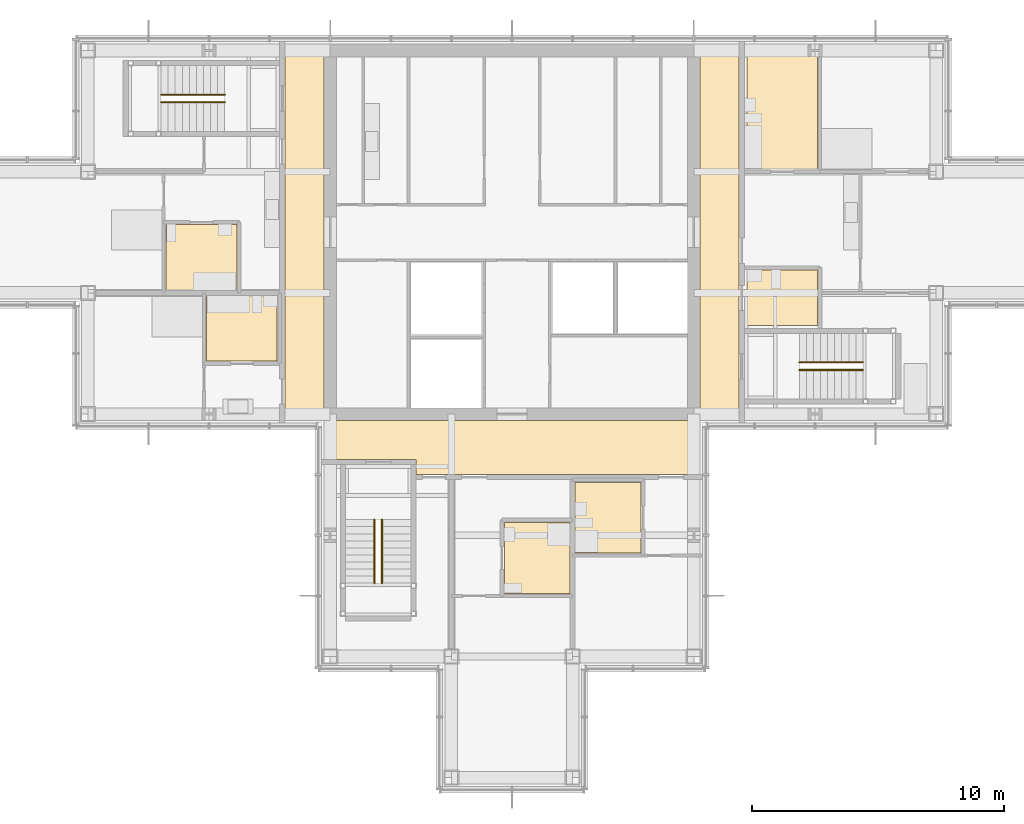
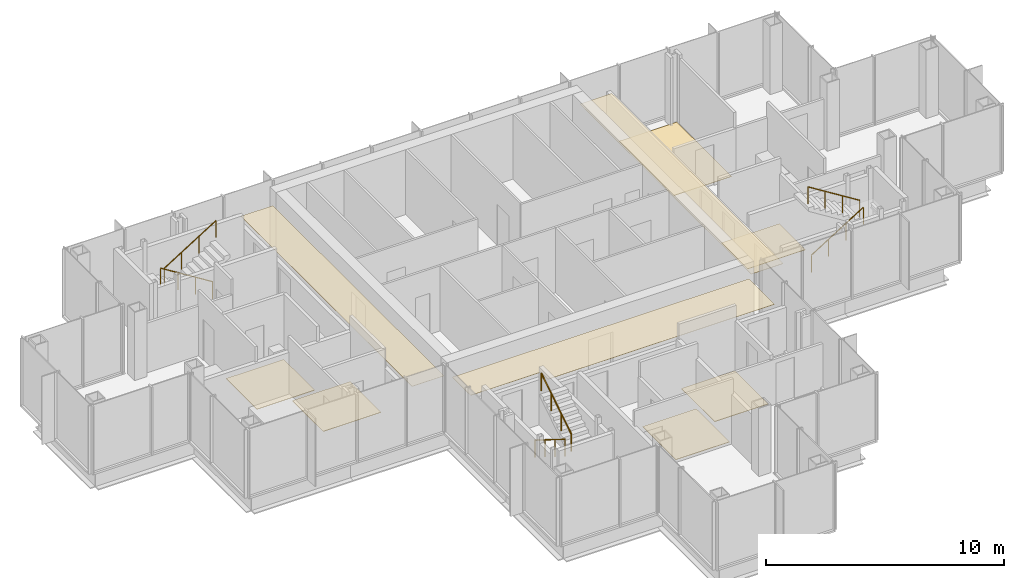
# One storey, part 13 of 15: 9 coverings, 6 railings.
"""IFC4 building model written with IfcOpenShell, lengths in metres."""

from ifc_helpers import new_model, si_unit, direction, frame, origin, origin_2d, place, context, subcontext, project, spatial, polyline, circle, outline, extrude, material, layer, layer_set, type_object, element, save


model = new_model("IFC4")

# Units and contexts
model_context = context("Model", 3, precision=1e-05, world=origin(), true_north=direction((0.0, 1.0)))
body_context = subcontext(model_context, "Body", "Model", "MODEL_VIEW")
ifc_project = project(units=[si_unit("LENGTHUNIT", "METRE"), si_unit("AREAUNIT", "SQUARE_METRE"), si_unit("VOLUMEUNIT", "CUBIC_METRE"), si_unit("PLANEANGLEUNIT", "RADIAN"), si_unit("MASSUNIT", "GRAM", prefix="KILO")], contexts=[model_context])

# Site, building, storey
site_placement = place(None, origin())
site = spatial("IfcSite", under=ifc_project, at=site_placement, CompositionType="ELEMENT")
building_placement = place(site_placement, origin())
building = spatial("IfcBuilding", under=site, at=building_placement, Name="Kvirike Care Tower", CompositionType="ELEMENT")
storey_placement = place(building_placement, frame((0.0, 0.0, 208.5)))
storey = spatial("IfcBuildingStorey", under=building, at=storey_placement, Name="L57", CompositionType="ELEMENT", Elevation=208.5)

# Coverings
ifc_material_1 = material(Name="Perforated metal ceiling tile", Category="aluminium")
ifc_layer_1 = layer(ifc_material_1, 0.014892578125)
ifc_layer_set_1 = layer_set([ifc_layer_1], Name="CORRIDOR CEILING 15")
covering_type_1 = type_object("IfcCoveringType", Name="CORRIDOR CEILING 15", PredefinedType="CEILING", material=ifc_layer_set_1)
covering_1_placement = place(storey_placement, frame((0.0, 0.0, 2.5)))
element("IfcCovering", 1, at=covering_1_placement, inside=storey, type_object=covering_type_1, Name="Corridor ceiling L57", PredefinedType="CEILING", context=body_context, shape_type="SweptSolid", body=[
    extrude(outline(polyline([(12.60009765625, 43.199951171875), (14.14990234375, 43.199951171875), (14.14990234375, 28.800048828125), (12.60009765625, 28.800048828125), (12.60009765625, 43.199951171875)])), origin(), (0.0, 0.0, 1.0), 0.014892578125),
])
covering_2_placement = place(storey_placement, frame((0.0, 0.0, 2.5)))
element("IfcCovering", 2, at=covering_2_placement, inside=storey, type_object=covering_type_1, Name="Corridor ceiling L57", PredefinedType="CEILING", context=body_context, shape_type="SweptSolid", body=[
    extrude(outline(polyline([(14.39990234375, 28.550048828125), (28.800048828125, 28.550048828125), (28.800048828125, 26.39990234375), (17.800048828125, 26.39990234375), (17.800048828125, 27.0), (14.39990234375, 27.0), (14.39990234375, 28.550048828125)])), origin(), (0.0, 0.0, 1.0), 0.014892578125),
])
covering_3_placement = place(storey_placement, frame((0.0, 0.0, 2.5)))
element("IfcCovering", 3, at=covering_3_placement, inside=storey, type_object=covering_type_1, Name="Corridor ceiling L57", PredefinedType="CEILING", context=body_context, shape_type="SweptSolid", body=[
    extrude(outline(polyline([(30.60009765625, 28.800048828125), (29.050048828125, 28.800048828125), (29.050048828125, 43.199951171875), (30.60009765625, 43.199951171875), (30.60009765625, 28.800048828125)])), origin(), (0.0, 0.0, 1.0), 0.014892578125),
])

# Railings
ifc_material_2 = material(Name="Stainless steel handrail", Category="steel")
railing_type = type_object("IfcRailingType", Name="STAIR HANDRAIL 900", PredefinedType="HANDRAIL", material=ifc_material_2)
railing_1_placement = place(storey_placement, frame((10.219970703125, 41.449951171875, 0.175048828125)))
element("IfcRailing", 4, at=railing_1_placement, inside=storey, type_object=railing_type, Name="Stair 1 handrail L57 flight 1", PredefinedType="HANDRAIL", context=body_context, shape_type="SweptSolid", body=[
    extrude(circle(Radius=0.02490234375, at=origin_2d()), frame((0.0, 0.0, 0.875), z_axis=(-0.848007534815, 0.0, 0.529984170421), x_axis=(0.0, -1.0, 0.0)), (0.0, 0.0, 1.0), 2.9716796875),
    extrude(circle(Radius=0.02001953125, at=origin_2d()), origin(), (0.0, 0.0, 1.0), 0.849853515625),
    extrude(circle(Radius=0.02001953125, at=origin_2d()), frame((-0.840087890625, 0.0, 0.52490234375)), (0.0, 0.0, 1.0), 0.849853515625),
    extrude(circle(Radius=0.02001953125, at=origin_2d()), frame((-1.679931640625, 0.0, 1.050048828125)), (0.0, 0.0, 1.0), 0.849853515625),
    extrude(circle(Radius=0.02001953125, at=origin_2d()), frame((-2.52001953125, 0.0, 1.574951171875)), (0.0, 0.0, 1.0), 0.849853515625),
])
for number, where, name in (
    (5, (7.699951171875, 41.14990234375, 1.925048828125), "Stair 1 handrail L57 flight 2"),
    (6, (32.97998046875, 30.550048828125, 0.175048828125), "Stair 2 handrail L57 flight 1"),
):
    element("IfcRailing", number, at=place(storey_placement, frame(where)), inside=storey, type_object=railing_type, Name=name, PredefinedType="HANDRAIL", context=body_context, shape_type="SweptSolid", body=[
        extrude(circle(Radius=0.02490234375, at=origin_2d()), frame((0.0, 0.0, 0.875), z_axis=(0.848007534815, 0.0, 0.529984170421), x_axis=(0.0, 1.0, 0.0)), (0.0, 0.0, 1.0), 2.9716796875),
        extrude(circle(Radius=0.02001953125, at=origin_2d()), origin(), (0.0, 0.0, 1.0), 0.849853515625),
        extrude(circle(Radius=0.02001953125, at=origin_2d()), frame((0.840087890625, 0.0, 0.52490234375)), (0.0, 0.0, 1.0), 0.849853515625),
        extrude(circle(Radius=0.02001953125, at=origin_2d()), frame((1.679931640625, 0.0, 1.050048828125)), (0.0, 0.0, 1.0), 0.849853515625),
        extrude(circle(Radius=0.02001953125, at=origin_2d()), frame((2.52001953125, 0.0, 1.574951171875)), (0.0, 0.0, 1.0), 0.849853515625),
    ])
railing_2_placement = place(storey_placement, frame((35.5, 30.85009765625, 1.925048828125)))
element("IfcRailing", 7, at=railing_2_placement, inside=storey, type_object=railing_type, Name="Stair 2 handrail L57 flight 2", PredefinedType="HANDRAIL", context=body_context, shape_type="SweptSolid", body=[
    extrude(circle(Radius=0.02490234375, at=origin_2d()), frame((0.0, 0.0, 0.875), z_axis=(-0.848007534815, 0.0, 0.529984170421), x_axis=(0.0, -1.0, 0.0)), (0.0, 0.0, 1.0), 2.9716796875),
    extrude(circle(Radius=0.02001953125, at=origin_2d()), origin(), (0.0, 0.0, 1.0), 0.849853515625),
    extrude(circle(Radius=0.02001953125, at=origin_2d()), frame((-0.840087890625, 0.0, 0.52490234375)), (0.0, 0.0, 1.0), 0.849853515625),
    extrude(circle(Radius=0.02001953125, at=origin_2d()), frame((-1.679931640625, 0.0, 1.050048828125)), (0.0, 0.0, 1.0), 0.849853515625),
    extrude(circle(Radius=0.02001953125, at=origin_2d()), frame((-2.52001953125, 0.0, 1.574951171875)), (0.0, 0.0, 1.0), 0.849853515625),
])
railing_3_placement = place(storey_placement, frame((16.14990234375, 24.6201171875, 0.175048828125)))
element("IfcRailing", 8, at=railing_3_placement, inside=storey, type_object=railing_type, Name="Stair 5 handrail L57 flight 1", PredefinedType="HANDRAIL", context=body_context, shape_type="SweptSolid", body=[
    extrude(circle(Radius=0.02490234375, at=origin_2d()), frame((0.0, 0.0, 0.875), z_axis=(0.0, -0.848007534815, 0.529984170421), x_axis=(1.0, 0.0, 0.0)), (0.0, 0.0, 1.0), 2.9716796875),
    extrude(circle(Radius=0.02001953125, at=origin_2d()), origin(), (0.0, 0.0, 1.0), 0.849853515625),
    extrude(circle(Radius=0.02001953125, at=origin_2d()), frame((0.0, -0.840087890625, 0.52490234375)), (0.0, 0.0, 1.0), 0.849853515625),
    extrude(circle(Radius=0.02001953125, at=origin_2d()), frame((0.0, -1.679931640625, 1.050048828125)), (0.0, 0.0, 1.0), 0.849853515625),
    extrude(circle(Radius=0.02001953125, at=origin_2d()), frame((0.0, -2.52001953125, 1.574951171875)), (0.0, 0.0, 1.0), 0.849853515625),
])
railing_4_placement = place(storey_placement, frame((16.449951171875, 22.10009765625, 1.925048828125)))
element("IfcRailing", 9, at=railing_4_placement, inside=storey, type_object=railing_type, Name="Stair 5 handrail L57 flight 2", PredefinedType="HANDRAIL", context=body_context, shape_type="SweptSolid", body=[
    extrude(circle(Radius=0.02490234375, at=origin_2d()), frame((0.0, 0.0, 0.875), z_axis=(0.0, 0.848007534815, 0.529984170421), x_axis=(-1.0, 0.0, 0.0)), (0.0, 0.0, 1.0), 2.9716796875),
    extrude(circle(Radius=0.02001953125, at=origin_2d()), origin(), (0.0, 0.0, 1.0), 0.849853515625),
    extrude(circle(Radius=0.02001953125, at=origin_2d()), frame((0.0, 0.840087890625, 0.52490234375)), (0.0, 0.0, 1.0), 0.849853515625),
    extrude(circle(Radius=0.02001953125, at=origin_2d()), frame((0.0, 1.679931640625, 1.050048828125)), (0.0, 0.0, 1.0), 0.849853515625),
    extrude(circle(Radius=0.02001953125, at=origin_2d()), frame((0.0, 2.52001953125, 1.574951171875)), (0.0, 0.0, 1.0), 0.849853515625),
])

# Coverings
ifc_material_3 = material(Name="Slip-resistant vinyl safety flooring on screed")
ifc_layer_2 = layer(ifc_material_3, 0.02001953125)
ifc_layer_set_2 = layer_set([ifc_layer_2], Name="WET ROOM FLOOR 20")
covering_type_2 = type_object("IfcCoveringType", Name="WET ROOM FLOOR 20", PredefinedType="FLOORING", material=ifc_layer_set_2)
covering_4_placement = place(storey_placement, origin())
element("IfcCovering", 10, at=covering_4_placement, inside=storey, type_object=covering_type_2, Name="Bathroom floor L57-005", PredefinedType="FLOORING", context=body_context, shape_type="SweptSolid", body=[
    extrude(outline(polyline([(7.89990234375, 36.300048828125), (10.699951171875, 36.300048828125), (10.699951171875, 33.699951171875), (7.89990234375, 33.699951171875), (7.89990234375, 36.300048828125)])), origin(), (0.0, 0.0, 1.0), 0.02001953125),
])
covering_5_placement = place(storey_placement, origin())
element("IfcCovering", 11, at=covering_5_placement, inside=storey, type_object=covering_type_2, Name="Bathroom floor L57-008", PredefinedType="FLOORING", context=body_context, shape_type="SweptSolid", body=[
    extrude(outline(polyline([(9.5, 33.5), (12.300048828125, 33.5), (12.300048828125, 30.89990234375), (9.5, 30.89990234375), (9.5, 33.5)])), origin(), (0.0, 0.0, 1.0), 0.02001953125),
])
covering_6_placement = place(storey_placement, origin())
element("IfcCovering", 12, at=covering_6_placement, inside=storey, type_object=covering_type_2, Name="Shower room floor L57-014", PredefinedType="FLOORING", context=body_context, shape_type="SweptSolid", body=[
    extrude(outline(polyline([(21.300048828125, 21.699951171875), (21.300048828125, 24.5), (23.89990234375, 24.5), (23.89990234375, 21.699951171875), (21.300048828125, 21.699951171875)])), origin(), (0.0, 0.0, 1.0), 0.02001953125),
])
covering_7_placement = place(storey_placement, origin())
element("IfcCovering", 13, at=covering_7_placement, inside=storey, type_object=covering_type_2, Name="Shower room floor L57-017", PredefinedType="FLOORING", context=body_context, shape_type="SweptSolid", body=[
    extrude(outline(polyline([(24.10009765625, 23.300048828125), (24.10009765625, 26.10009765625), (26.699951171875, 26.10009765625), (26.699951171875, 23.300048828125), (24.10009765625, 23.300048828125)])), origin(), (0.0, 0.0, 1.0), 0.02001953125),
])
covering_8_placement = place(storey_placement, origin())
element("IfcCovering", 14, at=covering_8_placement, inside=storey, type_object=covering_type_2, Name="Accessible WC floor L57-024", PredefinedType="FLOORING", context=body_context, shape_type="SweptSolid", body=[
    extrude(outline(polyline([(33.699951171875, 32.300048828125), (30.89990234375, 32.300048828125), (30.89990234375, 34.5), (33.699951171875, 34.5), (33.699951171875, 32.300048828125)])), origin(), (0.0, 0.0, 1.0), 0.02001953125),
])
covering_9_placement = place(storey_placement, origin())
element("IfcCovering", 15, at=covering_9_placement, inside=storey, type_object=covering_type_2, Name="Bathroom floor L57-025", PredefinedType="FLOORING", context=body_context, shape_type="SweptSolid", body=[
    extrude(outline(polyline([(33.699951171875, 38.5), (30.89990234375, 38.5), (30.89990234375, 43.10009765625), (33.699951171875, 43.10009765625), (33.699951171875, 38.5)])), origin(), (0.0, 0.0, 1.0), 0.02001953125),
])

save(model, "model.ifc")
